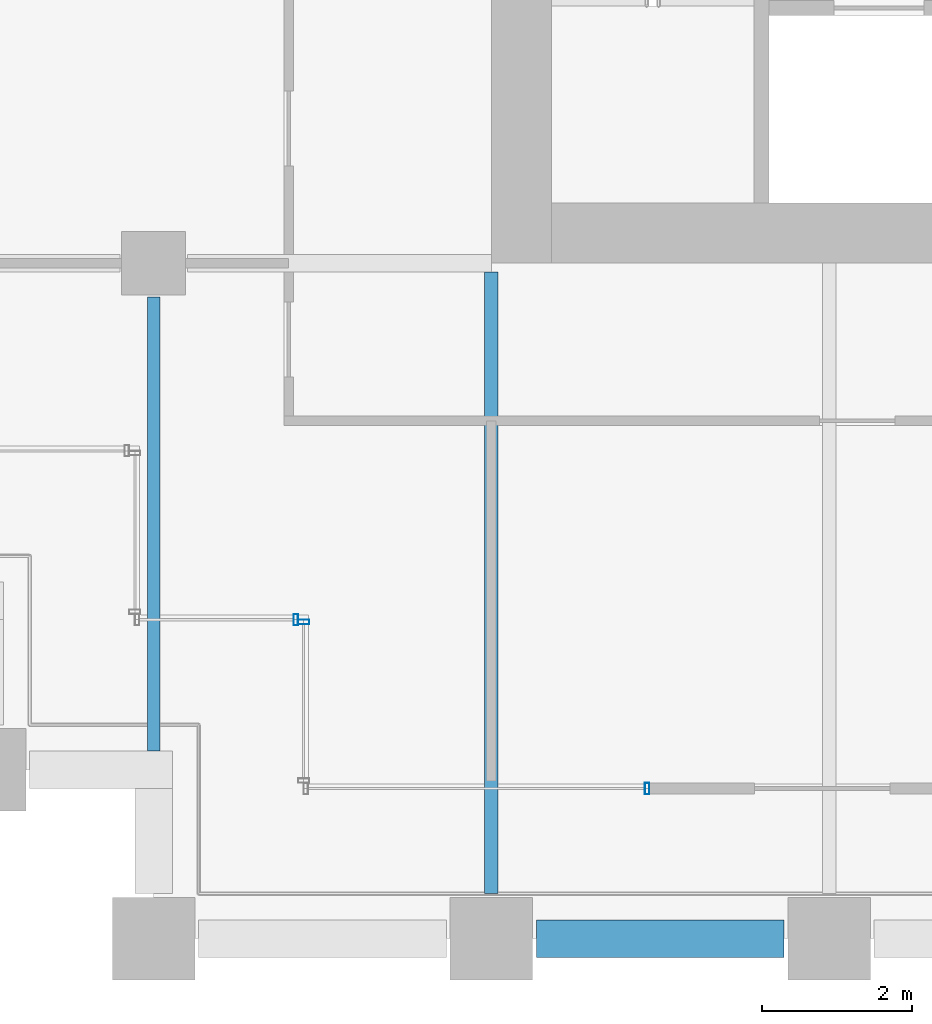
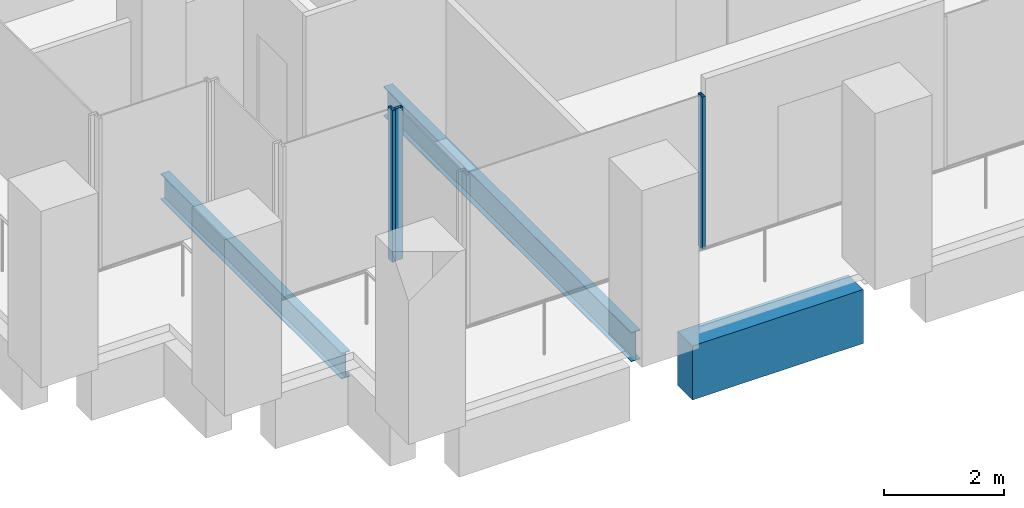
# One storey, part 34 of 55: 3 beams, 3 members, 3 elements without a shape of their own.
"""IFC4 building model written with IfcOpenShell, lengths in metres."""

from ifc_helpers import new_model, si_unit, direction, frame, origin, origin_2d, place, context, subcontext, project, spatial, rectangle, hollow_rectangle, i_section, extrude, material, material_profile, profile_set, type_object, element, aggregate, save


model = new_model("IFC4")

# Units and contexts
model_context = context("Model", 3, precision=1e-05, world=origin(), true_north=direction((0.0, 1.0)))
body_context = subcontext(model_context, "Body", "Model", "MODEL_VIEW")
ifc_project = project(units=[si_unit("LENGTHUNIT", "METRE"), si_unit("AREAUNIT", "SQUARE_METRE"), si_unit("VOLUMEUNIT", "CUBIC_METRE"), si_unit("PLANEANGLEUNIT", "RADIAN"), si_unit("MASSUNIT", "GRAM", prefix="KILO")], contexts=[model_context])

# Site, building, storey
site_placement = place(None, origin())
site = spatial("IfcSite", under=ifc_project, at=site_placement, CompositionType="ELEMENT")
building_placement = place(site_placement, origin())
building = spatial("IfcBuilding", under=site, at=building_placement, Name="Altepetl Exchange Towers", CompositionType="ELEMENT")
storey_placement = place(building_placement, frame((0.0, 0.0, 47.39990234375)))
storey = spatial("IfcBuildingStorey", under=building, at=storey_placement, Name="L10", CompositionType="ELEMENT", Elevation=47.39990234375)

# Beams
ifc_material_1 = material(Name="Steel S355", Category="steel")
ifc_material_profile_1 = material_profile(ifc_material_1, i_section(OverallWidth=0.166015625, OverallDepth=0.529052734375, WebThickness=0.009765625, FlangeThickness=0.013671875, at=origin_2d()), Name="W21X50")
ifc_profile_set_1 = profile_set([ifc_material_profile_1], Name="Steel S355")
beam_type_1 = type_object("IfcBeamType", Name="Floor beam W21X50", PredefinedType="BEAM", material=ifc_profile_set_1)
beam_1_placement = place(storey_placement, frame((99.0, 29.5, -0.414306640625), z_axis=(0.0, 1.0, 0.0), x_axis=(-1.0, 0.0, 0.0)))
element("IfcBeam", 1, at=beam_1_placement, inside=storey, type_object=beam_type_1, Name="bm:B:L10:008", PredefinedType="BEAM", context=body_context, shape_type="SweptSolid", body=[
    extrude(i_section(OverallWidth=0.166015625, OverallDepth=0.529052734375, WebThickness=0.009765625, FlangeThickness=0.013671875, at=origin_2d()), origin(), (0.0, 0.0, 1.0), 6.050048828125),
])
ifc_material_profile_2 = material_profile(ifc_material_1, i_section(OverallWidth=0.177978515625, OverallDepth=0.59912109375, WebThickness=0.010009765625, FlangeThickness=0.0126953125, at=origin_2d()), Name="W24X55")
ifc_profile_set_2 = profile_set([ifc_material_profile_2], Name="Steel S355")
beam_type_2 = type_object("IfcBeamType", Name="Floor beam W24X55", PredefinedType="BEAM", material=ifc_profile_set_2)
beam_2_placement = place(storey_placement, frame((103.5, 27.60009765625, -0.449462890625), z_axis=(0.0, 1.0, 0.0), x_axis=(-1.0, 0.0, 0.0)))
element("IfcBeam", 2, at=beam_2_placement, inside=storey, type_object=beam_type_2, Name="bm:B:L10:009", PredefinedType="BEAM", context=body_context, shape_type="SweptSolid", body=[
    extrude(i_section(OverallWidth=0.177978515625, OverallDepth=0.59912109375, WebThickness=0.010009765625, FlangeThickness=0.0126953125, at=origin_2d()), origin(), (0.0, 0.0, 1.0), 8.285888671875),
])

# Curtain wall, member
ifc_material_2 = material(Name="Aluminium 6063-T6 glazing", Category="aluminium")
curtain_wall_type = type_object("IfcCurtainWallType", Name="Loggia glazing system", PredefinedType="NOTDEFINED", material=ifc_material_2)
curtain_wall_1_placement = place(storey_placement, origin())
curtain_wall_1 = element("IfcCurtainWall", 3, at=curtain_wall_1_placement, inside=storey, type_object=curtain_wall_type, Name="CW1 run", PredefinedType="NOTDEFINED")
ifc_material_3 = material(Name="Aluminium 6063-T6", Category="aluminium")
ifc_material_profile_3 = material_profile(ifc_material_3, hollow_rectangle(XDim=0.06005859375, YDim=0.14990234375, WallThickness=0.0029296875, at=origin_2d()), Name="Mullion 60x150 aluminium")
ifc_profile_set_3 = profile_set([ifc_material_profile_3], Name="Aluminium 6063-T6")
member_type = type_object("IfcMemberType", Name="Mullion 60x150 aluminium", PredefinedType="MULLION", material=ifc_profile_set_3)
member_1_placement = place(storey_placement, frame((100.89501953125, 31.25, 0.0)))
member_1 = element("IfcMember", 4, at=member_1_placement, type_object=member_type, Name="MU1 mullion", PredefinedType="MULLION", context=body_context, shape_type="SweptSolid", body=[
    extrude(hollow_rectangle(XDim=0.06005859375, YDim=0.14990234375, WallThickness=0.0029296875, at=origin_2d()), origin(), (0.0, 0.0, 1.0), 3.10009765625),
])
aggregate(curtain_wall_1, [member_1])

curtain_wall_2_placement = place(storey_placement, origin())
curtain_wall_2 = element("IfcCurtainWall", 5, at=curtain_wall_2_placement, inside=storey, type_object=curtain_wall_type, Name="CW1 run", PredefinedType="NOTDEFINED")
member_2_placement = place(storey_placement, frame((101.0, 31.219970703125, 0.0), z_axis=(0.0, 0.0, 1.0), x_axis=(0.0, -1.0, 0.0)))
member_2 = element("IfcMember", 6, at=member_2_placement, type_object=member_type, Name="MU1 mullion", PredefinedType="MULLION", context=body_context, shape_type="SweptSolid", body=[
    extrude(hollow_rectangle(XDim=0.06005859375, YDim=0.14990234375, WallThickness=0.0029296875, at=origin_2d()), origin(), (0.0, 0.0, 1.0), 3.10009765625),
])
aggregate(curtain_wall_2, [member_2])

curtain_wall_3_placement = place(storey_placement, origin())
curtain_wall_3 = element("IfcCurtainWall", 7, at=curtain_wall_3_placement, inside=storey, type_object=curtain_wall_type, Name="CW1 run", PredefinedType="NOTDEFINED")
member_3_placement = place(storey_placement, frame((105.576171875, 29.0, 0.0)))
member_3 = element("IfcMember", 8, at=member_3_placement, type_object=member_type, Name="MU1 mullion", PredefinedType="MULLION", context=body_context, shape_type="SweptSolid", body=[
    extrude(hollow_rectangle(XDim=0.06005859375, YDim=0.14990234375, WallThickness=0.0029296875, at=origin_2d()), origin(), (0.0, 0.0, 1.0), 3.10009765625),
])
aggregate(curtain_wall_3, [member_3])

# Beam
ifc_material_4 = material(Name="Concrete C50/60 precast with tezontle facing", Category="concrete")
ifc_material_profile_4 = material_profile(ifc_material_4, rectangle(XDim=0.5, YDim=1.10009765625, at=origin_2d()), Name="500 x 1100")
ifc_profile_set_4 = profile_set([ifc_material_profile_4], Name="Concrete C50/60 precast with tezontle facing")
beam_type_3 = type_object("IfcBeamType", Name="Spandrel beam 500x1100 tezontle", PredefinedType="SPANDREL", material=ifc_profile_set_4)
beam_3_placement = place(storey_placement, frame((104.10009765625, 27.0, -0.699951171875), z_axis=(1.0, 0.0, 0.0), x_axis=(0.0, 1.0, 0.0)))
element("IfcBeam", 9, at=beam_3_placement, inside=storey, type_object=beam_type_3, Name="sp:B:L10:001", PredefinedType="SPANDREL", context=body_context, shape_type="SweptSolid", body=[
    extrude(rectangle(XDim=0.5, YDim=1.10009765625, at=origin_2d()), origin(), (0.0, 0.0, 1.0), 3.2998046875),
])

save(model, "model.ifc")
